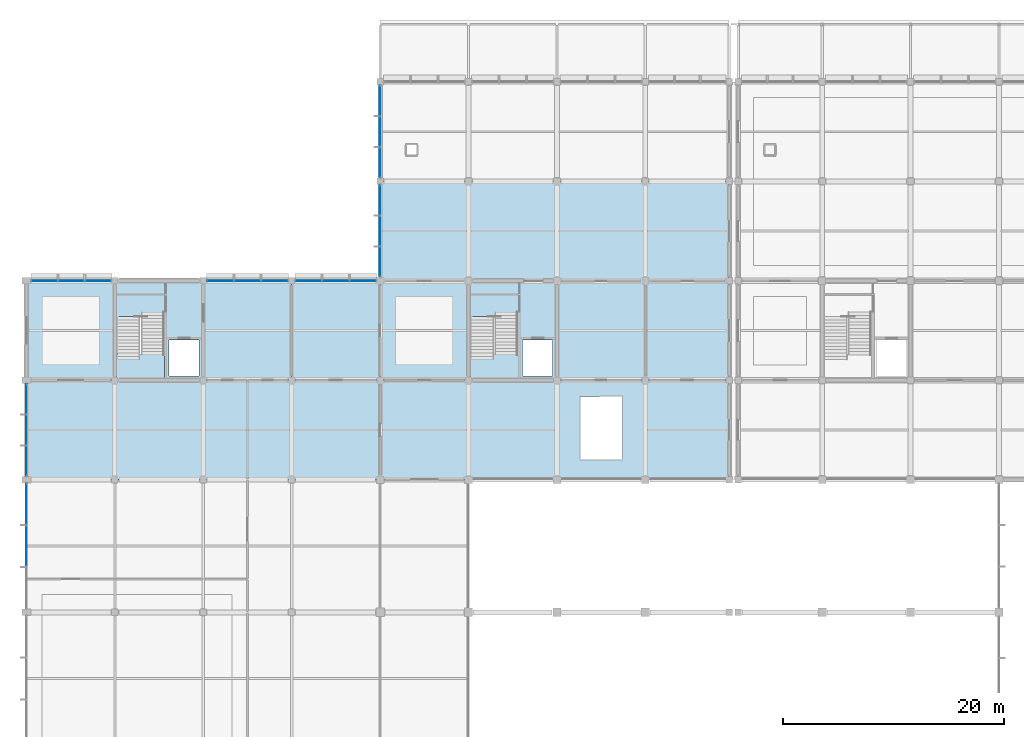
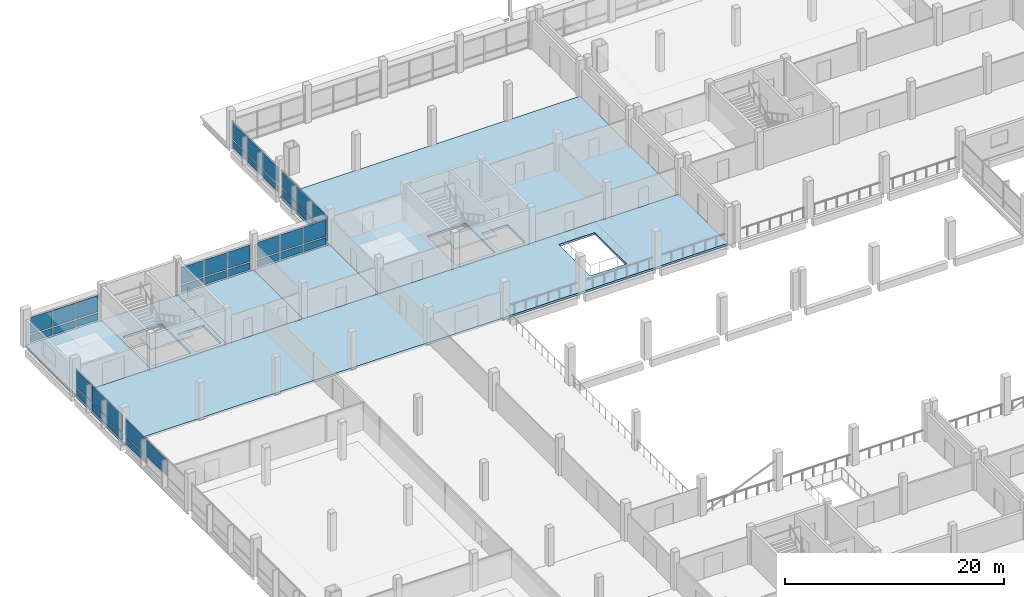
# One storey, part 34 of 57: 39 plates, 8 slabs, 9 elements without a shape of their own.
"""IFC4 building model written with IfcOpenShell, lengths in metres."""

from ifc_helpers import new_model, si_unit, direction, frame, origin, origin_2d, place, context, subcontext, project, spatial, polyline, rectangle, outline, extrude, material, layer, layer_set, type_object, element, aggregate, save


model = new_model("IFC4")

# Units and contexts
model_context = context("Model", 3, precision=1e-05, world=origin(), true_north=direction((0.0, 1.0)))
body_context = subcontext(model_context, "Body", "Model", "MODEL_VIEW")
ifc_project = project(units=[si_unit("LENGTHUNIT", "METRE"), si_unit("AREAUNIT", "SQUARE_METRE"), si_unit("VOLUMEUNIT", "CUBIC_METRE"), si_unit("PLANEANGLEUNIT", "RADIAN"), si_unit("MASSUNIT", "GRAM", prefix="KILO"), si_unit("THERMODYNAMICTEMPERATUREUNIT", "KELVIN"), si_unit("POWERUNIT", "WATT")], contexts=[model_context])

# Site, building, storey
site_placement = place(None, origin())
site = spatial("IfcSite", under=ifc_project, at=site_placement, CompositionType="ELEMENT")
building_placement = place(site_placement, origin())
building = spatial("IfcBuilding", under=site, at=building_placement, Name="Kronsvod Quay Wholesale Market", CompositionType="ELEMENT")
storey_placement = place(building_placement, frame((0.0, 0.0, 4.800048828125)))
storey = spatial("IfcBuildingStorey", under=building, at=storey_placement, Name="L01", CompositionType="ELEMENT", Elevation=4.800048828125)

# Curtain wall, plates
ifc_material_1 = material(Name="Thermally broken aluminium and triple low-E glazing", Category="aluminium")
curtain_wall_type_1 = type_object("IfcCurtainWallType", Name="CW_Forecourt80x33", PredefinedType="NOTDEFINED", material=ifc_material_1)
curtain_wall_1_placement = place(storey_placement, origin())
curtain_wall_1 = element("IfcCurtainWall", 1, at=curtain_wall_1_placement, inside=storey, type_object=curtain_wall_type_1, Name="CWGX-L01-0-1080", PredefinedType="NOTDEFINED")
ifc_material_2 = material(Name="Insulated aluminium spandrel panel", Category="aluminium")
ifc_layer_1 = layer(ifc_material_2, 0.048095703125)
ifc_layer_set_1 = layer_set([ifc_layer_1], Name="Insulated aluminium spandrel panel")
plate_type_1 = type_object("IfcPlateType", Name="CWPanel_SP2324x775", PredefinedType="CURTAIN_PANEL", material=ifc_layer_set_1)
plate_1_placement = place(storey_placement, frame((6.468017578125, 108.0, 0.14990234375), z_axis=(0.0, 0.0, 1.0), x_axis=(-1.0, 0.0, 0.0)))
plate_1 = element("IfcPlate", 2, at=plate_1_placement, type_object=plate_type_1, Name="CWGX-L01-0-1080-PS1", PredefinedType="CURTAIN_PANEL", context=body_context, shape_type="SweptSolid", body=[
    extrude(rectangle(XDim=2.323974609375, YDim=0.048095703125, at=origin_2d()), origin(), (0.0, 0.0, 1.0), 0.77490234375),
])
plate_2_placement = place(storey_placement, frame((1.632080078125, 108.0, 0.14990234375), z_axis=(0.0, 0.0, 1.0), x_axis=(-1.0, 0.0, 0.0)))
plate_2 = element("IfcPlate", 3, at=plate_2_placement, type_object=plate_type_1, Name="CWGX-L01-0-1080-PS3", PredefinedType="CURTAIN_PANEL", context=body_context, shape_type="SweptSolid", body=[
    extrude(rectangle(XDim=2.323974609375, YDim=0.048095703125, at=origin_2d()), origin(), (0.0, 0.0, 1.0), 0.77490234375),
])

curtain_wall_2_placement = place(storey_placement, origin())
curtain_wall_2 = element("IfcCurtainWall", 4, at=curtain_wall_2_placement, inside=storey, type_object=curtain_wall_type_1, Name="CWGX-L01-240-1080", PredefinedType="NOTDEFINED")
ifc_material_3 = material(Name="Insulated aluminium spandrel panel", Category="aluminium")
ifc_layer_2 = layer(ifc_material_3, 0.048095703125)
ifc_layer_set_2 = layer_set([ifc_layer_2], Name="Insulated aluminium spandrel panel")
plate_type_2 = type_object("IfcPlateType", Name="CWPanel_SP2349x775", PredefinedType="CURTAIN_PANEL", material=ifc_layer_set_2)
plate_3_placement = place(storey_placement, frame((30.430419921875, 108.0, 0.14990234375), z_axis=(0.0, 0.0, 1.0), x_axis=(-1.0, 0.0, 0.0)))
plate_3 = element("IfcPlate", 5, at=plate_3_placement, type_object=plate_type_2, Name="CWGX-L01-240-1080-PS1", PredefinedType="CURTAIN_PANEL", context=body_context, shape_type="SweptSolid", body=[
    extrude(rectangle(XDim=2.34912109375, YDim=0.048095703125, at=origin_2d()), origin(), (0.0, 0.0, 1.0), 0.77490234375),
])
plate_4_placement = place(storey_placement, frame((25.544677734375, 108.0, 0.14990234375), z_axis=(0.0, 0.0, 1.0), x_axis=(-1.0, 0.0, 0.0)))
plate_4 = element("IfcPlate", 6, at=plate_4_placement, type_object=plate_type_2, Name="CWGX-L01-240-1080-PS3", PredefinedType="CURTAIN_PANEL", context=body_context, shape_type="SweptSolid", body=[
    extrude(rectangle(XDim=2.34912109375, YDim=0.048095703125, at=origin_2d()), origin(), (0.0, 0.0, 1.0), 0.77490234375),
])

curtain_wall_3_placement = place(storey_placement, origin())
curtain_wall_3 = element("IfcCurtainWall", 7, at=curtain_wall_3_placement, inside=storey, type_object=curtain_wall_type_1, Name="CWGX-L01-160-1080", PredefinedType="NOTDEFINED")
ifc_material_4 = material(Name="Insulated aluminium spandrel panel", Category="aluminium")
ifc_layer_3 = layer(ifc_material_4, 0.048095703125)
ifc_layer_set_3 = layer_set([ifc_layer_3], Name="Insulated aluminium spandrel panel")
plate_type_3 = type_object("IfcPlateType", Name="CWPanel_SP2357x775", PredefinedType="CURTAIN_PANEL", material=ifc_layer_set_3)
plate_5_placement = place(storey_placement, frame((22.451171875, 108.0, 0.14990234375), z_axis=(0.0, 0.0, 1.0), x_axis=(-1.0, 0.0, 0.0)))
plate_5 = element("IfcPlate", 8, at=plate_5_placement, type_object=plate_type_3, Name="CWGX-L01-160-1080-PS1", PredefinedType="CURTAIN_PANEL", context=body_context, shape_type="SweptSolid", body=[
    extrude(rectangle(XDim=2.35693359375, YDim=0.048095703125, at=origin_2d()), origin(), (0.0, 0.0, 1.0), 0.77490234375),
])
ifc_material_5 = material(Name="Insulated aluminium spandrel panel", Category="aluminium")
ifc_layer_4 = layer(ifc_material_5, 0.048095703125)
ifc_layer_set_4 = layer_set([ifc_layer_4], Name="Insulated aluminium spandrel panel")
plate_type_4 = type_object("IfcPlateType", Name="CWPanel_SP2358x775", PredefinedType="CURTAIN_PANEL", material=ifc_layer_set_4)
plate_6_placement = place(storey_placement, frame((17.548828125, 108.0, 0.14990234375), z_axis=(0.0, 0.0, 1.0), x_axis=(-1.0, 0.0, 0.0)))
plate_6 = element("IfcPlate", 9, at=plate_6_placement, type_object=plate_type_4, Name="CWGX-L01-160-1080-PS3", PredefinedType="CURTAIN_PANEL", context=body_context, shape_type="SweptSolid", body=[
    extrude(rectangle(XDim=2.35791015625, YDim=0.048095703125, at=origin_2d()), origin(), (0.0, 0.0, 1.0), 0.77490234375),
])

# Plate
ifc_material_6 = material(Name="Insulated aluminium spandrel panel", Category="aluminium")
ifc_layer_5 = layer(ifc_material_6, 0.048095703125)
ifc_layer_set_5 = layer_set([ifc_layer_5], Name="Insulated aluminium spandrel panel")
plate_type_5 = type_object("IfcPlateType", Name="CWPanel_SP2362x775", PredefinedType="CURTAIN_PANEL", material=ifc_layer_set_5)
plate_7_placement = place(storey_placement, frame((4.050048828125, 108.0, 0.14990234375), z_axis=(0.0, 0.0, 1.0), x_axis=(-1.0, 0.0, 0.0)))
plate_7 = element("IfcPlate", 10, at=plate_7_placement, type_object=plate_type_5, Name="CWGX-L01-0-1080-PS2", PredefinedType="CURTAIN_PANEL", context=body_context, shape_type="SweptSolid", body=[
    extrude(rectangle(XDim=2.362060546875, YDim=0.048095703125, at=origin_2d()), origin(), (0.0, 0.0, 1.0), 0.77490234375),
])

ifc_material_7 = material(Name="Insulated aluminium spandrel panel", Category="aluminium")
ifc_layer_6 = layer(ifc_material_7, 0.048095703125)
ifc_layer_set_6 = layer_set([ifc_layer_6], Name="Insulated aluminium spandrel panel")
plate_type_6 = type_object("IfcPlateType", Name="CWPanel_SP2387x775", PredefinedType="CURTAIN_PANEL", material=ifc_layer_set_6)
plate_8_placement = place(storey_placement, frame((27.987548828125, 108.0, 0.14990234375), z_axis=(0.0, 0.0, 1.0), x_axis=(-1.0, 0.0, 0.0)))
plate_8 = element("IfcPlate", 11, at=plate_8_placement, type_object=plate_type_6, Name="CWGX-L01-240-1080-PS2", PredefinedType="CURTAIN_PANEL", context=body_context, shape_type="SweptSolid", body=[
    extrude(rectangle(XDim=2.386962890625, YDim=0.048095703125, at=origin_2d()), origin(), (0.0, 0.0, 1.0), 0.77490234375),
])

ifc_material_8 = material(Name="Insulated aluminium spandrel panel", Category="aluminium")
ifc_layer_7 = layer(ifc_material_8, 0.048095703125)
ifc_layer_set_7 = layer_set([ifc_layer_7], Name="Insulated aluminium spandrel panel")
plate_type_7 = type_object("IfcPlateType", Name="CWPanel_SP2395x775", PredefinedType="CURTAIN_PANEL", material=ifc_layer_set_7)
plate_9_placement = place(storey_placement, frame((20.0, 108.0, 0.14990234375), z_axis=(0.0, 0.0, 1.0), x_axis=(-1.0, 0.0, 0.0)))
plate_9 = element("IfcPlate", 12, at=plate_9_placement, type_object=plate_type_7, Name="CWGX-L01-160-1080-PS2", PredefinedType="CURTAIN_PANEL", context=body_context, shape_type="SweptSolid", body=[
    extrude(rectangle(XDim=2.39501953125, YDim=0.048095703125, at=origin_2d()), origin(), (0.0, 0.0, 1.0), 0.77490234375),
])

# Curtain wall, plates
ifc_material_9 = material(Name="Thermally broken aluminium and triple low-E glazing", Category="aluminium")
curtain_wall_type_2 = type_object("IfcCurtainWallType", Name="CW_Wing90x33", PredefinedType="NOTDEFINED", material=ifc_material_9)
curtain_wall_4_placement = place(storey_placement, origin())
curtain_wall_4 = element("IfcCurtainWall", 13, at=curtain_wall_4_placement, inside=storey, type_object=curtain_wall_type_2, Name="CWGY-L01-320-1080", PredefinedType="NOTDEFINED")
ifc_material_10 = material(Name="Insulated aluminium spandrel panel", Category="aluminium")
ifc_layer_8 = layer(ifc_material_10, 0.048095703125)
ifc_layer_set_8 = layer_set([ifc_layer_8], Name="Insulated aluminium spandrel panel")
plate_type_8 = type_object("IfcPlateType", Name="CWPanel_SP2683x775", PredefinedType="CURTAIN_PANEL", material=ifc_layer_set_8)
plate_10_placement = place(storey_placement, frame((32.0, 115.288818359375, 0.14990234375), z_axis=(0.0, 0.0, 1.0), x_axis=(0.0, -1.0, 0.0)))
plate_10 = element("IfcPlate", 14, at=plate_10_placement, type_object=plate_type_8, Name="CWGY-L01-320-1080-PS1", PredefinedType="CURTAIN_PANEL", context=body_context, shape_type="SweptSolid", body=[
    extrude(rectangle(XDim=2.68310546875, YDim=0.048095703125, at=origin_2d()), origin(), (0.0, 0.0, 1.0), 0.77490234375),
])
plate_11_placement = place(storey_placement, frame((32.0, 109.736328125, 0.14990234375), z_axis=(0.0, 0.0, 1.0), x_axis=(0.0, -1.0, 0.0)))
plate_11 = element("IfcPlate", 15, at=plate_11_placement, type_object=plate_type_8, Name="CWGY-L01-320-1080-PS3", PredefinedType="CURTAIN_PANEL", context=body_context, shape_type="SweptSolid", body=[
    extrude(rectangle(XDim=2.68310546875, YDim=0.048095703125, at=origin_2d()), origin(), (0.0, 0.0, 1.0), 0.77490234375),
])

curtain_wall_5_placement = place(storey_placement, origin())
curtain_wall_5 = element("IfcCurtainWall", 16, at=curtain_wall_5_placement, inside=storey, type_object=curtain_wall_type_2, Name="CWGY-L01-0-900", PredefinedType="NOTDEFINED")
ifc_material_11 = material(Name="Insulated aluminium spandrel panel", Category="aluminium")
ifc_layer_9 = layer(ifc_material_11, 0.048095703125)
ifc_layer_set_9 = layer_set([ifc_layer_9], Name="Insulated aluminium spandrel panel")
plate_type_9 = type_object("IfcPlateType", Name="CWPanel_SP2691x775", PredefinedType="CURTAIN_PANEL", material=ifc_layer_set_9)
plate_12_placement = place(storey_placement, frame((0.0, 97.28466796875, 0.14990234375), z_axis=(0.0, 0.0, 1.0), x_axis=(0.0, -1.0, 0.0)))
plate_12 = element("IfcPlate", 17, at=plate_12_placement, type_object=plate_type_9, Name="CWGY-L01-0-900-PS1", PredefinedType="CURTAIN_PANEL", context=body_context, shape_type="SweptSolid", body=[
    extrude(rectangle(XDim=2.69091796875, YDim=0.048095703125, at=origin_2d()), origin(), (0.0, 0.0, 1.0), 0.77490234375),
])
plate_13_placement = place(storey_placement, frame((0.0, 91.71533203125, 0.14990234375), z_axis=(0.0, 0.0, 1.0), x_axis=(0.0, -1.0, 0.0)))
plate_13 = element("IfcPlate", 18, at=plate_13_placement, type_object=plate_type_9, Name="CWGY-L01-0-900-PS3", PredefinedType="CURTAIN_PANEL", context=body_context, shape_type="SweptSolid", body=[
    extrude(rectangle(XDim=2.69091796875, YDim=0.048095703125, at=origin_2d()), origin(), (0.0, 0.0, 1.0), 0.77490234375),
])

curtain_wall_6_placement = place(storey_placement, origin())
curtain_wall_6 = element("IfcCurtainWall", 19, at=curtain_wall_6_placement, inside=storey, type_object=curtain_wall_type_2, Name="CWGY-L01-320-1170", PredefinedType="NOTDEFINED")
plate_14_placement = place(storey_placement, frame((32.0, 124.28466796875, 0.14990234375), z_axis=(0.0, 0.0, 1.0), x_axis=(0.0, -1.0, 0.0)))
plate_14 = element("IfcPlate", 20, at=plate_14_placement, type_object=plate_type_9, Name="CWGY-L01-320-1170-PS1", PredefinedType="CURTAIN_PANEL", context=body_context, shape_type="SweptSolid", body=[
    extrude(rectangle(XDim=2.69091796875, YDim=0.048095703125, at=origin_2d()), origin(), (0.0, 0.0, 1.0), 0.77490234375),
])
plate_15_placement = place(storey_placement, frame((32.0, 118.71533203125, 0.14990234375), z_axis=(0.0, 0.0, 1.0), x_axis=(0.0, -1.0, 0.0)))
plate_15 = element("IfcPlate", 21, at=plate_15_placement, type_object=plate_type_9, Name="CWGY-L01-320-1170-PS3", PredefinedType="CURTAIN_PANEL", context=body_context, shape_type="SweptSolid", body=[
    extrude(rectangle(XDim=2.69091796875, YDim=0.048095703125, at=origin_2d()), origin(), (0.0, 0.0, 1.0), 0.77490234375),
])

# Plate
ifc_material_12 = material(Name="Insulated aluminium spandrel panel", Category="aluminium")
ifc_layer_10 = layer(ifc_material_12, 0.048095703125)
ifc_layer_set_10 = layer_set([ifc_layer_10], Name="Insulated aluminium spandrel panel")
plate_type_10 = type_object("IfcPlateType", Name="CWPanel_SP2720x775", PredefinedType="CURTAIN_PANEL", material=ifc_layer_set_10)
plate_16_placement = place(storey_placement, frame((32.0, 112.512451171875, 0.14990234375), z_axis=(0.0, 0.0, 1.0), x_axis=(0.0, -1.0, 0.0)))
plate_16 = element("IfcPlate", 22, at=plate_16_placement, type_object=plate_type_10, Name="CWGY-L01-320-1080-PS2", PredefinedType="CURTAIN_PANEL", context=body_context, shape_type="SweptSolid", body=[
    extrude(rectangle(XDim=2.719970703125, YDim=0.048095703125, at=origin_2d()), origin(), (0.0, 0.0, 1.0), 0.77490234375),
])

ifc_material_13 = material(Name="Insulated aluminium spandrel panel", Category="aluminium")
ifc_layer_11 = layer(ifc_material_13, 0.048095703125)
ifc_layer_set_11 = layer_set([ifc_layer_11], Name="Insulated aluminium spandrel panel")
plate_type_11 = type_object("IfcPlateType", Name="CWPanel_SP2728x775", PredefinedType="CURTAIN_PANEL", material=ifc_layer_set_11)
plate_17_placement = place(storey_placement, frame((0.0, 94.5, 0.14990234375), z_axis=(0.0, 0.0, 1.0), x_axis=(0.0, -1.0, 0.0)))
plate_17 = element("IfcPlate", 23, at=plate_17_placement, type_object=plate_type_11, Name="CWGY-L01-0-900-PS2", PredefinedType="CURTAIN_PANEL", context=body_context, shape_type="SweptSolid", body=[
    extrude(rectangle(XDim=2.72802734375, YDim=0.048095703125, at=origin_2d()), origin(), (0.0, 0.0, 1.0), 0.77490234375),
])

plate_18_placement = place(storey_placement, frame((32.0, 121.5, 0.14990234375), z_axis=(0.0, 0.0, 1.0), x_axis=(0.0, -1.0, 0.0)))
plate_18 = element("IfcPlate", 24, at=plate_18_placement, type_object=plate_type_11, Name="CWGY-L01-320-1170-PS2", PredefinedType="CURTAIN_PANEL", context=body_context, shape_type="SweptSolid", body=[
    extrude(rectangle(XDim=2.72802734375, YDim=0.048095703125, at=origin_2d()), origin(), (0.0, 0.0, 1.0), 0.77490234375),
])

# Curtain wall, plate
ifc_material_14 = material(Name="Thermally broken aluminium and triple low-E glazing", Category="aluminium")
curtain_wall_type_3 = type_object("IfcCurtainWallType", Name="CW_WestLab90x37", PredefinedType="NOTDEFINED", material=ifc_material_14)
curtain_wall_7_placement = place(storey_placement, origin())
curtain_wall_7 = element("IfcCurtainWall", 25, at=curtain_wall_7_placement, inside=storey, type_object=curtain_wall_type_3, Name="CWGY-L01-0-780", PredefinedType="NOTDEFINED")
ifc_material_15 = material(Name="Insulated aluminium spandrel panel", Category="aluminium")
ifc_layer_12 = layer(ifc_material_15, 0.048095703125)
ifc_layer_set_12 = layer_set([ifc_layer_12], Name="Insulated aluminium spandrel panel")
plate_type_12 = type_object("IfcPlateType", Name="CWPanel_SP3691x775", PredefinedType="CURTAIN_PANEL", material=ifc_layer_set_12)
plate_19_placement = place(storey_placement, frame((0.0, 87.78466796875, 0.14990234375), z_axis=(0.0, 0.0, 1.0), x_axis=(0.0, -1.0, 0.0)))
plate_19 = element("IfcPlate", 26, at=plate_19_placement, type_object=plate_type_12, Name="CWGY-L01-0-780-PS1", PredefinedType="CURTAIN_PANEL", context=body_context, shape_type="SweptSolid", body=[
    extrude(rectangle(XDim=3.69091796875, YDim=0.048095703125, at=origin_2d()), origin(), (0.0, 0.0, 1.0), 0.77490234375),
])

# Plate
ifc_material_16 = material(Name="Triple low-E insulated glazing", Category="glass")
ifc_layer_13 = layer(ifc_material_16, 0.0439453125)
ifc_layer_set_13 = layer_set([ifc_layer_13], Name="Triple low-E insulated glazing")
plate_type_13 = type_object("IfcPlateType", Name="CWPanel_VS2324x1825", PredefinedType="CURTAIN_PANEL", material=ifc_layer_set_13)
plate_20_placement = place(storey_placement, frame((6.468017578125, 108.0, 1.0751953125), z_axis=(0.0, 0.0, 1.0), x_axis=(-1.0, 0.0, 0.0)))
plate_20 = element("IfcPlate", 27, at=plate_20_placement, type_object=plate_type_13, Name="CWGX-L01-0-1080-PV1", PredefinedType="CURTAIN_PANEL", context=body_context, shape_type="SweptSolid", body=[
    extrude(rectangle(XDim=2.323974609375, YDim=0.0439453125, at=origin_2d()), origin(), (0.0, 0.0, 1.0), 1.824951171875),
])

plate_21_placement = place(storey_placement, frame((1.632080078125, 108.0, 1.0751953125), z_axis=(0.0, 0.0, 1.0), x_axis=(-1.0, 0.0, 0.0)))
plate_21 = element("IfcPlate", 28, at=plate_21_placement, type_object=plate_type_13, Name="CWGX-L01-0-1080-PV3", PredefinedType="CURTAIN_PANEL", context=body_context, shape_type="SweptSolid", body=[
    extrude(rectangle(XDim=2.323974609375, YDim=0.0439453125, at=origin_2d()), origin(), (0.0, 0.0, 1.0), 1.824951171875),
])

ifc_material_17 = material(Name="Triple low-E insulated glazing", Category="glass")
ifc_layer_14 = layer(ifc_material_17, 0.0439453125)
ifc_layer_set_14 = layer_set([ifc_layer_14], Name="Triple low-E insulated glazing")
plate_type_14 = type_object("IfcPlateType", Name="CWPanel_VS2349x1825", PredefinedType="CURTAIN_PANEL", material=ifc_layer_set_14)
plate_22_placement = place(storey_placement, frame((30.430419921875, 108.0, 1.0751953125), z_axis=(0.0, 0.0, 1.0), x_axis=(-1.0, 0.0, 0.0)))
plate_22 = element("IfcPlate", 29, at=plate_22_placement, type_object=plate_type_14, Name="CWGX-L01-240-1080-PV1", PredefinedType="CURTAIN_PANEL", context=body_context, shape_type="SweptSolid", body=[
    extrude(rectangle(XDim=2.34912109375, YDim=0.0439453125, at=origin_2d()), origin(), (0.0, 0.0, 1.0), 1.824951171875),
])

plate_23_placement = place(storey_placement, frame((25.544677734375, 108.0, 1.0751953125), z_axis=(0.0, 0.0, 1.0), x_axis=(-1.0, 0.0, 0.0)))
plate_23 = element("IfcPlate", 30, at=plate_23_placement, type_object=plate_type_14, Name="CWGX-L01-240-1080-PV3", PredefinedType="CURTAIN_PANEL", context=body_context, shape_type="SweptSolid", body=[
    extrude(rectangle(XDim=2.34912109375, YDim=0.0439453125, at=origin_2d()), origin(), (0.0, 0.0, 1.0), 1.824951171875),
])

ifc_material_18 = material(Name="Triple low-E insulated glazing", Category="glass")
ifc_layer_15 = layer(ifc_material_18, 0.0439453125)
ifc_layer_set_15 = layer_set([ifc_layer_15], Name="Triple low-E insulated glazing")
plate_type_15 = type_object("IfcPlateType", Name="CWPanel_VS2357x1825", PredefinedType="CURTAIN_PANEL", material=ifc_layer_set_15)
plate_24_placement = place(storey_placement, frame((22.451171875, 108.0, 1.0751953125), z_axis=(0.0, 0.0, 1.0), x_axis=(-1.0, 0.0, 0.0)))
plate_24 = element("IfcPlate", 31, at=plate_24_placement, type_object=plate_type_15, Name="CWGX-L01-160-1080-PV1", PredefinedType="CURTAIN_PANEL", context=body_context, shape_type="SweptSolid", body=[
    extrude(rectangle(XDim=2.35693359375, YDim=0.0439453125, at=origin_2d()), origin(), (0.0, 0.0, 1.0), 1.824951171875),
])

ifc_material_19 = material(Name="Triple low-E insulated glazing", Category="glass")
ifc_layer_16 = layer(ifc_material_19, 0.0439453125)
ifc_layer_set_16 = layer_set([ifc_layer_16], Name="Triple low-E insulated glazing")
plate_type_16 = type_object("IfcPlateType", Name="CWPanel_VS2358x1825", PredefinedType="CURTAIN_PANEL", material=ifc_layer_set_16)
plate_25_placement = place(storey_placement, frame((17.548828125, 108.0, 1.0751953125), z_axis=(0.0, 0.0, 1.0), x_axis=(-1.0, 0.0, 0.0)))
plate_25 = element("IfcPlate", 32, at=plate_25_placement, type_object=plate_type_16, Name="CWGX-L01-160-1080-PV3", PredefinedType="CURTAIN_PANEL", context=body_context, shape_type="SweptSolid", body=[
    extrude(rectangle(XDim=2.35791015625, YDim=0.0439453125, at=origin_2d()), origin(), (0.0, 0.0, 1.0), 1.824951171875),
])

ifc_material_20 = material(Name="Triple low-E insulated glazing", Category="glass")
ifc_layer_17 = layer(ifc_material_20, 0.0439453125)
ifc_layer_set_17 = layer_set([ifc_layer_17], Name="Triple low-E insulated glazing")
plate_type_17 = type_object("IfcPlateType", Name="CWPanel_VS2362x1825", PredefinedType="CURTAIN_PANEL", material=ifc_layer_set_17)
plate_26_placement = place(storey_placement, frame((4.050048828125, 108.0, 1.0751953125), z_axis=(0.0, 0.0, 1.0), x_axis=(-1.0, 0.0, 0.0)))
plate_26 = element("IfcPlate", 33, at=plate_26_placement, type_object=plate_type_17, Name="CWGX-L01-0-1080-PV2", PredefinedType="CURTAIN_PANEL", context=body_context, shape_type="SweptSolid", body=[
    extrude(rectangle(XDim=2.362060546875, YDim=0.0439453125, at=origin_2d()), origin(), (0.0, 0.0, 1.0), 1.824951171875),
])

aggregate(curtain_wall_1, [plate_1, plate_20, plate_7, plate_26, plate_2, plate_21])

ifc_material_21 = material(Name="Triple low-E insulated glazing", Category="glass")
ifc_layer_18 = layer(ifc_material_21, 0.0439453125)
ifc_layer_set_18 = layer_set([ifc_layer_18], Name="Triple low-E insulated glazing")
plate_type_18 = type_object("IfcPlateType", Name="CWPanel_VS2387x1825", PredefinedType="CURTAIN_PANEL", material=ifc_layer_set_18)
plate_27_placement = place(storey_placement, frame((27.987548828125, 108.0, 1.0751953125), z_axis=(0.0, 0.0, 1.0), x_axis=(-1.0, 0.0, 0.0)))
plate_27 = element("IfcPlate", 34, at=plate_27_placement, type_object=plate_type_18, Name="CWGX-L01-240-1080-PV2", PredefinedType="CURTAIN_PANEL", context=body_context, shape_type="SweptSolid", body=[
    extrude(rectangle(XDim=2.386962890625, YDim=0.0439453125, at=origin_2d()), origin(), (0.0, 0.0, 1.0), 1.824951171875),
])

aggregate(curtain_wall_2, [plate_3, plate_22, plate_8, plate_27, plate_4, plate_23])

ifc_material_22 = material(Name="Triple low-E insulated glazing", Category="glass")
ifc_layer_19 = layer(ifc_material_22, 0.0439453125)
ifc_layer_set_19 = layer_set([ifc_layer_19], Name="Triple low-E insulated glazing")
plate_type_19 = type_object("IfcPlateType", Name="CWPanel_VS2395x1825", PredefinedType="CURTAIN_PANEL", material=ifc_layer_set_19)
plate_28_placement = place(storey_placement, frame((20.0, 108.0, 1.0751953125), z_axis=(0.0, 0.0, 1.0), x_axis=(-1.0, 0.0, 0.0)))
plate_28 = element("IfcPlate", 35, at=plate_28_placement, type_object=plate_type_19, Name="CWGX-L01-160-1080-PV2", PredefinedType="CURTAIN_PANEL", context=body_context, shape_type="SweptSolid", body=[
    extrude(rectangle(XDim=2.39501953125, YDim=0.0439453125, at=origin_2d()), origin(), (0.0, 0.0, 1.0), 1.824951171875),
])

aggregate(curtain_wall_3, [plate_5, plate_24, plate_9, plate_28, plate_6, plate_25])

ifc_material_23 = material(Name="Triple low-E insulated glazing", Category="glass")
ifc_layer_20 = layer(ifc_material_23, 0.0439453125)
ifc_layer_set_20 = layer_set([ifc_layer_20], Name="Triple low-E insulated glazing")
plate_type_20 = type_object("IfcPlateType", Name="CWPanel_VS2683x1825", PredefinedType="CURTAIN_PANEL", material=ifc_layer_set_20)
plate_29_placement = place(storey_placement, frame((32.0, 115.288818359375, 1.0751953125), z_axis=(0.0, 0.0, 1.0), x_axis=(0.0, -1.0, 0.0)))
plate_29 = element("IfcPlate", 36, at=plate_29_placement, type_object=plate_type_20, Name="CWGY-L01-320-1080-PV1", PredefinedType="CURTAIN_PANEL", context=body_context, shape_type="SweptSolid", body=[
    extrude(rectangle(XDim=2.68310546875, YDim=0.0439453125, at=origin_2d()), origin(), (0.0, 0.0, 1.0), 1.824951171875),
])

plate_30_placement = place(storey_placement, frame((32.0, 109.736328125, 1.0751953125), z_axis=(0.0, 0.0, 1.0), x_axis=(0.0, -1.0, 0.0)))
plate_30 = element("IfcPlate", 37, at=plate_30_placement, type_object=plate_type_20, Name="CWGY-L01-320-1080-PV3", PredefinedType="CURTAIN_PANEL", context=body_context, shape_type="SweptSolid", body=[
    extrude(rectangle(XDim=2.68310546875, YDim=0.0439453125, at=origin_2d()), origin(), (0.0, 0.0, 1.0), 1.824951171875),
])

ifc_material_24 = material(Name="Triple low-E insulated glazing", Category="glass")
ifc_layer_21 = layer(ifc_material_24, 0.0439453125)
ifc_layer_set_21 = layer_set([ifc_layer_21], Name="Triple low-E insulated glazing")
plate_type_21 = type_object("IfcPlateType", Name="CWPanel_VS2691x1825", PredefinedType="CURTAIN_PANEL", material=ifc_layer_set_21)
plate_31_placement = place(storey_placement, frame((0.0, 97.28466796875, 1.0751953125), z_axis=(0.0, 0.0, 1.0), x_axis=(0.0, -1.0, 0.0)))
plate_31 = element("IfcPlate", 38, at=plate_31_placement, type_object=plate_type_21, Name="CWGY-L01-0-900-PV1", PredefinedType="CURTAIN_PANEL", context=body_context, shape_type="SweptSolid", body=[
    extrude(rectangle(XDim=2.69091796875, YDim=0.0439453125, at=origin_2d()), origin(), (0.0, 0.0, 1.0), 1.824951171875),
])

plate_32_placement = place(storey_placement, frame((0.0, 91.71533203125, 1.0751953125), z_axis=(0.0, 0.0, 1.0), x_axis=(0.0, -1.0, 0.0)))
plate_32 = element("IfcPlate", 39, at=plate_32_placement, type_object=plate_type_21, Name="CWGY-L01-0-900-PV3", PredefinedType="CURTAIN_PANEL", context=body_context, shape_type="SweptSolid", body=[
    extrude(rectangle(XDim=2.69091796875, YDim=0.0439453125, at=origin_2d()), origin(), (0.0, 0.0, 1.0), 1.824951171875),
])

plate_33_placement = place(storey_placement, frame((32.0, 124.28466796875, 1.0751953125), z_axis=(0.0, 0.0, 1.0), x_axis=(0.0, -1.0, 0.0)))
plate_33 = element("IfcPlate", 40, at=plate_33_placement, type_object=plate_type_21, Name="CWGY-L01-320-1170-PV1", PredefinedType="CURTAIN_PANEL", context=body_context, shape_type="SweptSolid", body=[
    extrude(rectangle(XDim=2.69091796875, YDim=0.0439453125, at=origin_2d()), origin(), (0.0, 0.0, 1.0), 1.824951171875),
])

plate_34_placement = place(storey_placement, frame((32.0, 118.71533203125, 1.0751953125), z_axis=(0.0, 0.0, 1.0), x_axis=(0.0, -1.0, 0.0)))
plate_34 = element("IfcPlate", 41, at=plate_34_placement, type_object=plate_type_21, Name="CWGY-L01-320-1170-PV3", PredefinedType="CURTAIN_PANEL", context=body_context, shape_type="SweptSolid", body=[
    extrude(rectangle(XDim=2.69091796875, YDim=0.0439453125, at=origin_2d()), origin(), (0.0, 0.0, 1.0), 1.824951171875),
])

ifc_material_25 = material(Name="Triple low-E insulated glazing", Category="glass")
ifc_layer_22 = layer(ifc_material_25, 0.0439453125)
ifc_layer_set_22 = layer_set([ifc_layer_22], Name="Triple low-E insulated glazing")
plate_type_22 = type_object("IfcPlateType", Name="CWPanel_VS2720x1825", PredefinedType="CURTAIN_PANEL", material=ifc_layer_set_22)
plate_35_placement = place(storey_placement, frame((32.0, 112.512451171875, 1.0751953125), z_axis=(0.0, 0.0, 1.0), x_axis=(0.0, -1.0, 0.0)))
plate_35 = element("IfcPlate", 42, at=plate_35_placement, type_object=plate_type_22, Name="CWGY-L01-320-1080-PV2", PredefinedType="CURTAIN_PANEL", context=body_context, shape_type="SweptSolid", body=[
    extrude(rectangle(XDim=2.719970703125, YDim=0.0439453125, at=origin_2d()), origin(), (0.0, 0.0, 1.0), 1.824951171875),
])

aggregate(curtain_wall_4, [plate_10, plate_29, plate_16, plate_35, plate_11, plate_30])

ifc_material_26 = material(Name="Triple low-E insulated glazing", Category="glass")
ifc_layer_23 = layer(ifc_material_26, 0.0439453125)
ifc_layer_set_23 = layer_set([ifc_layer_23], Name="Triple low-E insulated glazing")
plate_type_23 = type_object("IfcPlateType", Name="CWPanel_VS2728x1825", PredefinedType="CURTAIN_PANEL", material=ifc_layer_set_23)
plate_36_placement = place(storey_placement, frame((0.0, 94.5, 1.0751953125), z_axis=(0.0, 0.0, 1.0), x_axis=(0.0, -1.0, 0.0)))
plate_36 = element("IfcPlate", 43, at=plate_36_placement, type_object=plate_type_23, Name="CWGY-L01-0-900-PV2", PredefinedType="CURTAIN_PANEL", context=body_context, shape_type="SweptSolid", body=[
    extrude(rectangle(XDim=2.72802734375, YDim=0.0439453125, at=origin_2d()), origin(), (0.0, 0.0, 1.0), 1.824951171875),
])

aggregate(curtain_wall_5, [plate_12, plate_31, plate_17, plate_36, plate_13, plate_32])

plate_37_placement = place(storey_placement, frame((32.0, 121.5, 1.0751953125), z_axis=(0.0, 0.0, 1.0), x_axis=(0.0, -1.0, 0.0)))
plate_37 = element("IfcPlate", 44, at=plate_37_placement, type_object=plate_type_23, Name="CWGY-L01-320-1170-PV2", PredefinedType="CURTAIN_PANEL", context=body_context, shape_type="SweptSolid", body=[
    extrude(rectangle(XDim=2.72802734375, YDim=0.0439453125, at=origin_2d()), origin(), (0.0, 0.0, 1.0), 1.824951171875),
])

aggregate(curtain_wall_6, [plate_14, plate_33, plate_18, plate_37, plate_15, plate_34])

ifc_material_27 = material(Name="Triple low-E insulated glazing", Category="glass")
ifc_layer_24 = layer(ifc_material_27, 0.0439453125)
ifc_layer_set_24 = layer_set([ifc_layer_24], Name="Triple low-E insulated glazing")
plate_type_24 = type_object("IfcPlateType", Name="CWPanel_VS3691x1825", PredefinedType="CURTAIN_PANEL", material=ifc_layer_set_24)
plate_38_placement = place(storey_placement, frame((0.0, 87.78466796875, 1.0751953125), z_axis=(0.0, 0.0, 1.0), x_axis=(0.0, -1.0, 0.0)))
plate_38 = element("IfcPlate", 45, at=plate_38_placement, type_object=plate_type_24, Name="CWGY-L01-0-780-PV1", PredefinedType="CURTAIN_PANEL", context=body_context, shape_type="SweptSolid", body=[
    extrude(rectangle(XDim=3.69091796875, YDim=0.0439453125, at=origin_2d()), origin(), (0.0, 0.0, 1.0), 1.824951171875),
])

ifc_material_28 = material(Name="Triple low-E insulated glazing", Category="glass")
ifc_layer_25 = layer(ifc_material_28, 0.0439453125)
ifc_layer_set_25 = layer_set([ifc_layer_25], Name="Triple low-E insulated glazing")
plate_type_25 = type_object("IfcPlateType", Name="CWPanel_VS3728x1825", PredefinedType="CURTAIN_PANEL", material=ifc_layer_set_25)
plate_39_placement = place(storey_placement, frame((0.0, 84.0, 1.0751953125), z_axis=(0.0, 0.0, 1.0), x_axis=(0.0, -1.0, 0.0)))
plate_39 = element("IfcPlate", 46, at=plate_39_placement, type_object=plate_type_25, Name="CWGY-L01-0-780-PV2", PredefinedType="CURTAIN_PANEL", context=body_context, shape_type="SweptSolid", body=[
    extrude(rectangle(XDim=3.72802734375, YDim=0.0439453125, at=origin_2d()), origin(), (0.0, 0.0, 1.0), 1.824951171875),
])

aggregate(curtain_wall_7, [plate_19, plate_38, plate_39])

# Slabs
ifc_material_29 = material(Name="Concrete C35/45", Category="concrete")
ifc_layer_26 = layer(ifc_material_29, 0.25)
ifc_layer_set_26 = layer_set([ifc_layer_26], Name="Concrete C35/45")
slab_type_1 = type_object("IfcSlabType", Name="Slab_Floor250", PredefinedType="FLOOR", material=ifc_layer_set_26)
slab_1_placement = place(storey_placement, frame((0.0, 0.0, -0.25)))
element("IfcSlab", 47, at=slab_1_placement, inside=storey, type_object=slab_type_1, Name="SLB-L01-062", PredefinedType="FLOOR", context=body_context, shape_type="SweptSolid", body=[
    extrude(outline(polyline([(0.0, 99.0), (8.0, 99.0), (8.0, 108.0), (0.0, 108.0), (0.0, 99.0)])), origin(), (0.0, 0.0, 1.0), 0.25),
])
slab_2_placement = place(storey_placement, frame((0.0, 0.0, -0.25)))
element("IfcSlab", 48, at=slab_2_placement, inside=storey, type_object=slab_type_1, Name="SLB-L01-063", PredefinedType="FLOOR", context=body_context, shape_type="SweptSolid", body=[
    extrude(outline(polyline([(8.0, 99.0), (16.0, 99.0), (16.0, 108.0), (8.0, 108.0), (8.0, 99.0)]), holes=[polyline([(8.3798828125, 99.3798828125), (12.4599609375, 99.3798828125), (12.4599609375, 104.75), (8.3798828125, 104.75), (8.3798828125, 99.3798828125)]), polyline([(12.89990234375, 99.3798828125), (15.6201171875, 99.3798828125), (15.6201171875, 102.6201171875), (12.89990234375, 102.6201171875), (12.89990234375, 99.3798828125)])]), origin(), (0.0, 0.0, 1.0), 0.25),
])
slab_3_placement = place(storey_placement, frame((0.0, 0.0, -0.25)))
element("IfcSlab", 49, at=slab_3_placement, inside=storey, type_object=slab_type_1, Name="SLB-L01-064", PredefinedType="FLOOR", context=body_context, shape_type="SweptSolid", body=[
    extrude(outline(polyline([(16.0, 99.0), (24.0, 99.0), (24.0, 108.0), (16.0, 108.0), (16.0, 99.0)])), origin(), (0.0, 0.0, 1.0), 0.25),
])
slab_4_placement = place(storey_placement, frame((0.0, 0.0, -0.25)))
element("IfcSlab", 50, at=slab_4_placement, inside=storey, type_object=slab_type_1, Name="SLB-L01-065", PredefinedType="FLOOR", context=body_context, shape_type="SweptSolid", body=[
    extrude(outline(polyline([(24.0, 99.0), (32.0, 99.0), (32.0, 108.0), (24.0, 108.0), (24.0, 99.0)])), origin(), (0.0, 0.0, 1.0), 0.25),
])
slab_5_placement = place(storey_placement, frame((0.0, 0.0, -0.25)))
element("IfcSlab", 51, at=slab_5_placement, inside=storey, type_object=slab_type_1, Name="SLB-L01-066", PredefinedType="FLOOR", context=body_context, shape_type="SweptSolid", body=[
    extrude(outline(polyline([(32.0, 99.0), (63.580078125, 99.0), (63.580078125, 117.0), (32.0, 117.0), (32.0, 99.0)]), holes=[polyline([(40.3798828125, 99.3798828125), (44.4599609375, 99.3798828125), (44.4599609375, 104.75), (40.3798828125, 104.75), (40.3798828125, 99.3798828125)]), polyline([(44.89990234375, 99.3798828125), (47.6201171875, 99.3798828125), (47.6201171875, 102.6201171875), (44.89990234375, 102.6201171875), (44.89990234375, 99.3798828125)])]), origin(), (0.0, 0.0, 1.0), 0.25),
])
ifc_material_30 = material(Name="Concrete C35/45", Category="concrete")
ifc_layer_27 = layer(ifc_material_30, 0.22998046875)
ifc_layer_set_27 = layer_set([ifc_layer_27], Name="Concrete C35/45")
slab_type_2 = type_object("IfcSlabType", Name="Slab_FloorGallery230", PredefinedType="FLOOR", material=ifc_layer_set_27)
slab_6_placement = place(storey_placement, frame((0.0, 0.0, -0.22998046875)))
element("IfcSlab", 52, at=slab_6_placement, inside=storey, type_object=slab_type_2, Name="SLB-L01-061", PredefinedType="FLOOR", context=body_context, shape_type="SweptSolid", body=[
    extrude(outline(polyline([(0.0, 90.0), (63.580078125, 90.0), (63.580078125, 99.0), (0.0, 99.0), (0.0, 90.0)]), holes=[polyline([(50.10009765625, 91.800048828125), (53.89990234375, 91.800048828125), (53.89990234375, 97.550048828125), (50.10009765625, 97.550048828125), (50.10009765625, 91.800048828125)])]), origin(), (0.0, 0.0, 1.0), 0.22998046875),
])

# Stair, slab
ifc_material_31 = material(Name="Concrete C35/45", Category="concrete")
stair_type_1 = type_object("IfcStairType", Name="Stair_CoreUpper_28R", PredefinedType="HALF_TURN_STAIR", material=ifc_material_31)
stair_1_placement = place(storey_placement, origin())
stair_1 = element("IfcStair", 53, at=stair_1_placement, inside=storey, type_object=stair_type_1, Name="ST02-L01", PredefinedType="HALF_TURN_STAIR")
ifc_material_32 = material(Name="Concrete C35/45", Category="concrete")
ifc_layer_28 = layer(ifc_material_32, 0.179931640625)
ifc_layer_set_28 = layer_set([ifc_layer_28], Name="Concrete C35/45")
slab_type_3 = type_object("IfcSlabType", Name="Slab_StairLanding180", PredefinedType="LANDING", material=ifc_layer_set_28)
slab_7_placement = place(storey_placement, frame((0.0, 0.0, 1.919921875)))
slab_7 = element("IfcSlab", 54, at=slab_7_placement, type_object=slab_type_3, Name="ST02-L01-LND", PredefinedType="LANDING", context=body_context, shape_type="SweptSolid", body=[
    extrude(outline(polyline([(8.1201171875, 99.1201171875), (12.5, 99.1201171875), (12.5, 101.360107421875), (8.1201171875, 101.360107421875), (8.1201171875, 99.1201171875)])), origin(), (0.0, 0.0, 1.0), 0.179931640625),
])
aggregate(stair_1, [slab_7])

ifc_material_33 = material(Name="Concrete C35/45", Category="concrete")
stair_type_2 = type_object("IfcStairType", Name="Stair_CoreV5_28R", PredefinedType="HALF_TURN_STAIR", material=ifc_material_33)
stair_2_placement = place(storey_placement, origin())
stair_2 = element("IfcStair", 55, at=stair_2_placement, inside=storey, type_object=stair_type_2, Name="ST07-L01", PredefinedType="HALF_TURN_STAIR")
slab_8_placement = place(storey_placement, frame((0.0, 0.0, 1.919921875)))
slab_8 = element("IfcSlab", 56, at=slab_8_placement, type_object=slab_type_3, Name="ST07-L01-LND", PredefinedType="LANDING", context=body_context, shape_type="SweptSolid", body=[
    extrude(outline(polyline([(40.1201171875, 99.1201171875), (44.5, 99.1201171875), (44.5, 101.360107421875), (40.1201171875, 101.360107421875), (40.1201171875, 99.1201171875)])), origin(), (0.0, 0.0, 1.0), 0.179931640625),
])
aggregate(stair_2, [slab_8])

save(model, "model.ifc")
